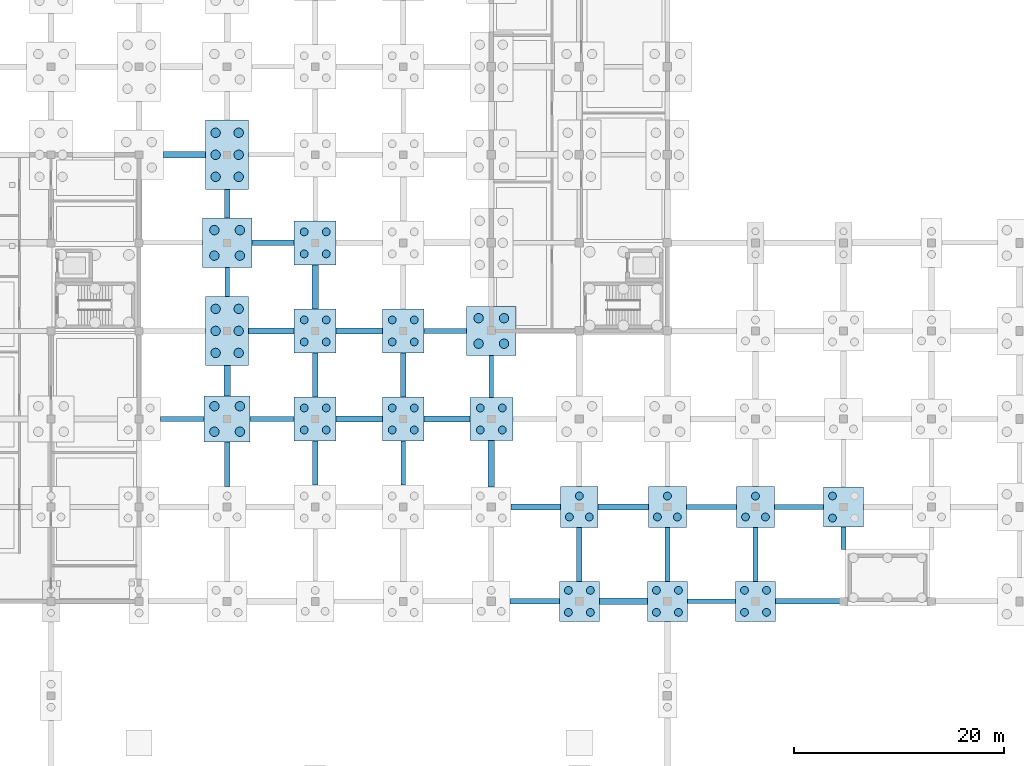
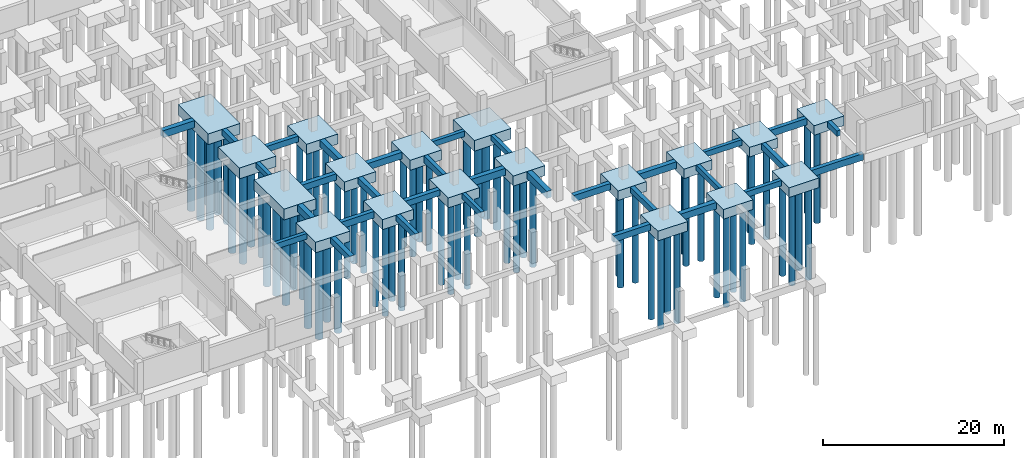
# One storey, part 4 of 20: 71 piles, 50 footings.
"""IFC4 building model written with IfcOpenShell, lengths in metres."""

from ifc_helpers import new_model, si_unit, direction, frame, origin, origin_2d, place, context, subcontext, project, spatial, rectangle, circle, extrude, material, material_profile, profile_set, type_object, element, save


model = new_model("IFC4")

# Units and contexts
model_context = context("Model", 3, precision=1e-05, world=origin(), true_north=direction((0.0, 1.0)))
body_context = subcontext(model_context, "Body", "Model", "MODEL_VIEW")
ifc_project = project(units=[si_unit("LENGTHUNIT", "METRE"), si_unit("AREAUNIT", "SQUARE_METRE"), si_unit("VOLUMEUNIT", "CUBIC_METRE"), si_unit("PLANEANGLEUNIT", "RADIAN"), si_unit("MASSUNIT", "GRAM", prefix="KILO")], contexts=[model_context])

# Site, building, storey
site_placement = place(None, origin())
site = spatial("IfcSite", under=ifc_project, at=site_placement, CompositionType="ELEMENT")
building_placement = place(site_placement, origin())
building = spatial("IfcBuilding", under=site, at=building_placement, Name="Vireocrest Preparatory School", CompositionType="ELEMENT")
storey_placement = place(building_placement, frame((0.0, 0.0, -4.199951171875)))
storey = spatial("IfcBuildingStorey", under=building, at=storey_placement, Name="B01", CompositionType="ELEMENT", Elevation=-4.199951171875)

# Piles
ifc_material = material(Name="Concrete 40 MPa", Category="concrete")
ifc_material_profile_1 = material_profile(ifc_material, circle(Radius=0.375, at=origin_2d()), Name="BORED PILE 750")
ifc_profile_set_1 = profile_set([ifc_material_profile_1], Name="Concrete 40 MPa")
pile_type_1 = type_object("IfcPileType", Name="Bored Concrete Pile 750", PredefinedType="BORED", material=ifc_profile_set_1)
for number, where, z_axis, x_axis, name in (
    (1, (74.550048828125, 34.35009765625, -1.25), (0.0, 0.0, -1.0), (1.0, 0.0, 0.0), "Bored Pile P02 077-1"),
    (2, (76.64990234375, 34.35009765625, -1.25), (0.0, 0.0, -1.0), (1.0, 0.0, 0.0), "Bored Pile P02 077-2"),
    (3, (74.550048828125, 36.449951171875, -1.25), (0.0, 0.0, -1.0), (1.0, 0.0, 0.0), "Bored Pile P02 077-3"),
    (4, (76.64990234375, 36.449951171875, -1.25), (0.0, 0.0, -1.0), (1.0, 0.0, 0.0), "Bored Pile P02 077-4"),
    (5, (74.550048828125, 42.75, -1.25), (0.0, 0.0, -1.0), (1.0, 0.0, 0.0), "Bored Pile P02 078-1"),
    (6, (76.64990234375, 42.75, -1.25), (0.0, 0.0, -1.0), (1.0, 0.0, 0.0), "Bored Pile P02 078-2"),
    (7, (74.550048828125, 44.85009765625, -1.25), (0.0, 0.0, -1.0), (1.0, 0.0, 0.0), "Bored Pile P02 078-3"),
    (8, (76.64990234375, 44.85009765625, -1.25), (0.0, 0.0, -1.0), (1.0, 0.0, 0.0), "Bored Pile P02 078-4"),
    (9, (74.550048828125, 51.14990234375, -1.25), (0.0, 0.0, -1.0), (1.0, 0.0, 0.0), "Bored Pile P02 079-1"),
    (10, (76.64990234375, 51.14990234375, -1.25), (0.0, 0.0, -1.0), (1.0, 0.0, 0.0), "Bored Pile P02 079-2"),
    (11, (74.550048828125, 53.25, -1.25), (0.0, 0.0, -1.0), (1.0, 0.0, 0.0), "Bored Pile P02 079-3"),
    (12, (76.64990234375, 53.25, -1.25), (0.0, 0.0, -1.0), (1.0, 0.0, 0.0), "Bored Pile P02 079-4"),
    (13, (82.949951171875, 34.35009765625, -1.25), (0.0, 0.0, -1.0), (1.0, 0.0, 0.0), "Bored Pile P02 090-1"),
    (14, (85.050048828125, 34.35009765625, -1.25), (0.0, 0.0, -1.0), (1.0, 0.0, 0.0), "Bored Pile P02 090-2"),
    (15, (82.949951171875, 36.449951171875, -1.25), (0.0, 0.0, -1.0), (1.0, 0.0, 0.0), "Bored Pile P02 090-3"),
    (16, (85.050048828125, 36.449951171875, -1.25), (0.0, 0.0, -1.0), (1.0, 0.0, 0.0), "Bored Pile P02 090-4"),
    (17, (82.949951171875, 42.75, -1.25), (0.0, 0.0, -1.0), (1.0, 0.0, 0.0), "Bored Pile P02 091-1"),
    (18, (85.050048828125, 42.75, -1.25), (0.0, 0.0, -1.0), (1.0, 0.0, 0.0), "Bored Pile P02 091-2"),
    (19, (82.949951171875, 44.85009765625, -1.25), (0.0, 0.0, -1.0), (1.0, 0.0, 0.0), "Bored Pile P02 091-3"),
    (20, (85.050048828125, 44.85009765625, -1.25), (0.0, 0.0, -1.0), (1.0, 0.0, 0.0), "Bored Pile P02 091-4"),
    (21, (91.35009765625, 34.35009765625, -1.25), (0.0, 0.0, -1.0), (1.0, 0.0, 0.0), "Bored Pile P02 103-1"),
    (22, (93.449951171875, 34.35009765625, -1.25), (0.0, 0.0, -1.0), (1.0, 0.0, 0.0), "Bored Pile P02 103-2"),
    (23, (91.35009765625, 36.449951171875, -1.25), (0.0, 0.0, -1.0), (1.0, 0.0, 0.0), "Bored Pile P02 103-3"),
    (24, (93.449951171875, 36.449951171875, -1.25), (0.0, 0.0, -1.0), (1.0, 0.0, 0.0), "Bored Pile P02 103-4"),
):
    element("IfcPile", number, at=place(storey_placement, frame(where, z_axis=z_axis, x_axis=x_axis)), inside=storey, type_object=pile_type_1, Name=name, PredefinedType="BORED", context=body_context, shape_type="SweptSolid", body=[
        extrude(circle(Radius=0.375, at=origin_2d()), origin(), (0.0, 0.0, 1.0), 12.550048828125),
    ])
for number, where, z_axis, x_axis, name in (
    (25, (99.75, 16.949951171875, -1.199951171875), (0.0, 0.0, -1.0), (1.0, 0.0, 0.0), "Bored Pile P02 114-1"),
    (26, (101.85009765625, 16.949951171875, -1.199951171875), (0.0, 0.0, -1.0), (1.0, 0.0, 0.0), "Bored Pile P02 114-2"),
    (27, (99.75, 19.050048828125, -1.199951171875), (0.0, 0.0, -1.0), (1.0, 0.0, 0.0), "Bored Pile P02 114-3"),
    (28, (101.85009765625, 19.050048828125, -1.199951171875), (0.0, 0.0, -1.0), (1.0, 0.0, 0.0), "Bored Pile P02 114-4"),
    (29, (99.85009765625, 26.050048828125, -1.199951171875), (0.0, 0.0, -1.0), (1.0, 0.0, 0.0), "Bored Pile P02 115-1"),
    (30, (101.75, 26.050048828125, -1.199951171875), (0.0, 0.0, -1.0), (1.0, 0.0, 0.0), "Bored Pile P02 115-2"),
    (31, (100.800048828125, 28.050048828125, -1.199951171875), (0.0, 0.0, -1.0), (1.0, 0.0, 0.0), "Bored Pile P02 115-3"),
    (32, (108.14990234375, 16.949951171875, -1.199951171875), (0.0, 0.0, -1.0), (1.0, 0.0, 0.0), "Bored Pile P02 128-1"),
    (33, (110.25, 16.949951171875, -1.199951171875), (0.0, 0.0, -1.0), (1.0, 0.0, 0.0), "Bored Pile P02 128-2"),
    (34, (108.14990234375, 19.050048828125, -1.199951171875), (0.0, 0.0, -1.0), (1.0, 0.0, 0.0), "Bored Pile P02 128-3"),
    (35, (110.25, 19.050048828125, -1.199951171875), (0.0, 0.0, -1.0), (1.0, 0.0, 0.0), "Bored Pile P02 128-4"),
    (36, (108.25, 26.050048828125, -1.199951171875), (0.0, 0.0, -1.0), (1.0, 0.0, 0.0), "Bored Pile P02 129-1"),
    (37, (110.14990234375, 26.050048828125, -1.199951171875), (0.0, 0.0, -1.0), (1.0, 0.0, 0.0), "Bored Pile P02 129-2"),
    (38, (109.199951171875, 28.050048828125, -1.199951171875), (0.0, 0.0, -1.0), (1.0, 0.0, 0.0), "Bored Pile P02 129-3"),
    (39, (116.550048828125, 16.949951171875, -1.199951171875), (0.0, 0.0, -1.0), (1.0, 0.0, 0.0), "Bored Pile P02 140-1"),
    (40, (118.64990234375, 16.949951171875, -1.199951171875), (0.0, 0.0, -1.0), (1.0, 0.0, 0.0), "Bored Pile P02 140-2"),
    (41, (116.550048828125, 19.050048828125, -1.199951171875), (0.0, 0.0, -1.0), (1.0, 0.0, 0.0), "Bored Pile P02 140-3"),
    (42, (118.64990234375, 19.050048828125, -1.199951171875), (0.0, 0.0, -1.0), (1.0, 0.0, 0.0), "Bored Pile P02 140-4"),
    (43, (116.64990234375, 26.050048828125, -1.199951171875), (0.0, 0.0, -1.0), (1.0, 0.0, 0.0), "Bored Pile P02 141-1"),
    (44, (118.550048828125, 26.050048828125, -1.199951171875), (0.0, 0.0, -1.0), (1.0, 0.0, 0.0), "Bored Pile P02 141-2"),
    (45, (117.60009765625, 28.050048828125, -1.199951171875), (0.0, 0.0, -1.0), (1.0, 0.0, 0.0), "Bored Pile P02 141-3"),
    (46, (124.949951171875, 25.949951171875, -1.199951171875), (0.0, 0.0, -1.0), (1.0, 0.0, 0.0), "Bored Pile P02 150-1"),
    (47, (124.949951171875, 28.050048828125, -1.199951171875), (0.0, 0.0, -1.0), (1.0, 0.0, 0.0), "Bored Pile P02 150-3"),
):
    element("IfcPile", number, at=place(storey_placement, frame(where, z_axis=z_axis, x_axis=x_axis)), inside=storey, type_object=pile_type_1, Name=name, PredefinedType="BORED", context=body_context, shape_type="SweptSolid", body=[
        extrude(circle(Radius=0.375, at=origin_2d()), origin(), (0.0, 0.0, 1.0), 12.60009765625),
    ])
ifc_material_profile_2 = material_profile(ifc_material, circle(Radius=0.449951171875, at=origin_2d()), Name="BORED PILE 900")
ifc_profile_set_2 = profile_set([ifc_material_profile_2], Name="Concrete 40 MPa")
pile_type_2 = type_object("IfcPileType", Name="Bored Concrete Pile 900", PredefinedType="BORED", material=ifc_profile_set_2)
for number, where, z_axis, x_axis, name in (
    (48, (65.985107421875, 34.18505859375, -1.300048828125), (0.0, 0.0, -1.0), (1.0, 0.0, 0.0), "Bored Pile P03 064-1"),
    (49, (68.4150390625, 34.18505859375, -1.300048828125), (0.0, 0.0, -1.0), (1.0, 0.0, 0.0), "Bored Pile P03 064-2"),
    (50, (65.985107421875, 36.614990234375, -1.300048828125), (0.0, 0.0, -1.0), (1.0, 0.0, 0.0), "Bored Pile P03 064-3"),
    (51, (68.4150390625, 36.614990234375, -1.300048828125), (0.0, 0.0, -1.0), (1.0, 0.0, 0.0), "Bored Pile P03 064-4"),
):
    element("IfcPile", number, at=place(storey_placement, frame(where, z_axis=z_axis, x_axis=x_axis)), inside=storey, type_object=pile_type_2, Name=name, PredefinedType="BORED", context=body_context, shape_type="SweptSolid", body=[
        extrude(circle(Radius=0.449951171875, at=origin_2d()), origin(), (0.0, 0.0, 1.0), 12.5),
    ])
for number, where, z_axis, x_axis, name in (
    (52, (66.10009765625, 41.699951171875, -1.35009765625), (0.0, 0.0, -1.0), (1.0, 0.0, 0.0), "Bored Pile P03 065-1"),
    (53, (68.300048828125, 41.699951171875, -1.35009765625), (0.0, 0.0, -1.0), (1.0, 0.0, 0.0), "Bored Pile P03 065-2"),
    (54, (66.10009765625, 43.800048828125, -1.35009765625), (0.0, 0.0, -1.0), (1.0, 0.0, 0.0), "Bored Pile P03 065-3"),
    (55, (68.300048828125, 43.800048828125, -1.35009765625), (0.0, 0.0, -1.0), (1.0, 0.0, 0.0), "Bored Pile P03 065-4"),
    (56, (66.10009765625, 45.89990234375, -1.35009765625), (0.0, 0.0, -1.0), (1.0, 0.0, 0.0), "Bored Pile P03 065-5"),
    (57, (68.300048828125, 45.89990234375, -1.35009765625), (0.0, 0.0, -1.0), (1.0, 0.0, 0.0), "Bored Pile P03 065-6"),
    (58, (65.985107421875, 50.985107421875, -1.35009765625), (0.0, 0.0, -1.0), (1.0, 0.0, 0.0), "Bored Pile P03 066-1"),
    (59, (68.4150390625, 50.985107421875, -1.35009765625), (0.0, 0.0, -1.0), (1.0, 0.0, 0.0), "Bored Pile P03 066-2"),
    (60, (65.985107421875, 53.4150390625, -1.35009765625), (0.0, 0.0, -1.0), (1.0, 0.0, 0.0), "Bored Pile P03 066-3"),
    (61, (68.4150390625, 53.4150390625, -1.35009765625), (0.0, 0.0, -1.0), (1.0, 0.0, 0.0), "Bored Pile P03 066-4"),
    (62, (66.10009765625, 58.5, -1.35009765625), (0.0, 0.0, -1.0), (1.0, 0.0, 0.0), "Bored Pile P03 067-1"),
    (63, (68.300048828125, 58.5, -1.35009765625), (0.0, 0.0, -1.0), (1.0, 0.0, 0.0), "Bored Pile P03 067-2"),
    (64, (66.10009765625, 60.60009765625, -1.35009765625), (0.0, 0.0, -1.0), (1.0, 0.0, 0.0), "Bored Pile P03 067-3"),
    (65, (68.300048828125, 60.60009765625, -1.35009765625), (0.0, 0.0, -1.0), (1.0, 0.0, 0.0), "Bored Pile P03 067-4"),
    (66, (66.10009765625, 62.699951171875, -1.35009765625), (0.0, 0.0, -1.0), (1.0, 0.0, 0.0), "Bored Pile P03 067-5"),
    (67, (68.300048828125, 62.699951171875, -1.35009765625), (0.0, 0.0, -1.0), (1.0, 0.0, 0.0), "Bored Pile P03 067-6"),
    (68, (91.18505859375, 42.5849609375, -1.35009765625), (0.0, 0.0, -1.0), (1.0, 0.0, 0.0), "Bored Pile P03 104-1"),
    (69, (93.614990234375, 42.5849609375, -1.35009765625), (0.0, 0.0, -1.0), (1.0, 0.0, 0.0), "Bored Pile P03 104-2"),
    (70, (91.18505859375, 45.014892578125, -1.35009765625), (0.0, 0.0, -1.0), (1.0, 0.0, 0.0), "Bored Pile P03 104-3"),
    (71, (93.614990234375, 45.014892578125, -1.35009765625), (0.0, 0.0, -1.0), (1.0, 0.0, 0.0), "Bored Pile P03 104-4"),
):
    element("IfcPile", number, at=place(storey_placement, frame(where, z_axis=z_axis, x_axis=x_axis)), inside=storey, type_object=pile_type_2, Name=name, PredefinedType="BORED", context=body_context, shape_type="SweptSolid", body=[
        extrude(circle(Radius=0.449951171875, at=origin_2d()), origin(), (0.0, 0.0, 1.0), 12.449951171875),
    ])

# Footings
footing_type_1 = type_object("IfcFootingType", Name="Four-Pile Cap 3800x3800x1300", PredefinedType="PILE_CAP", material=ifc_material)
for number, where, z_axis, x_axis, name in (
    (72, (100.800048828125, 18.0, -1.30029296875), (0.0, 0.0, 1.0), (1.0, 0.0, 0.0), "Pile Cap PC05 at (100.8, 18.0)"),
    (73, (109.199951171875, 18.0, -1.30029296875), (0.0, 0.0, 1.0), (1.0, 0.0, 0.0), "Pile Cap PC05 at (109.2, 18.0)"),
    (74, (117.60009765625, 18.0, -1.30029296875), (0.0, 0.0, 1.0), (1.0, 0.0, 0.0), "Pile Cap PC05 at (117.6, 18.0)"),
    (75, (126.0, 27.0, -1.30029296875), (0.0, 0.0, 1.0), (1.0, 0.0, 0.0), "Pile Cap PC05 at (126.0, 27.0)"),
):
    element("IfcFooting", number, at=place(storey_placement, frame(where, z_axis=z_axis, x_axis=x_axis)), inside=storey, type_object=footing_type_1, Name=name, PredefinedType="PILE_CAP", context=body_context, shape_type="SweptSolid", body=[
        extrude(rectangle(XDim=3.800048828125, YDim=3.800048828125, at=origin_2d()), origin(), (0.0, 0.0, 1.0), 1.300048828125),
    ])
footing_type_2 = type_object("IfcFootingType", Name="Four-Pile Cap 4100x4100x1350", PredefinedType="PILE_CAP", material=ifc_material)
footing_1_placement = place(storey_placement, frame((92.39990234375, 35.39990234375, -1.35009765625), z_axis=(0.0, 0.0, 1.0), x_axis=(1.0, 0.0, 0.0)))
element("IfcFooting", 76, at=footing_1_placement, inside=storey, type_object=footing_type_2, Name="Pile Cap PC06 at (92.4, 35.4)", PredefinedType="PILE_CAP", context=body_context, shape_type="SweptSolid", body=[
    extrude(rectangle(XDim=4.10009765625, YDim=4.10009765625, at=origin_2d()), origin(), (0.0, 0.0, 1.0), 1.35009765625),
])
footing_type_3 = type_object("IfcFootingType", Name="Four-Pile Cap 4400x4400x1400", PredefinedType="PILE_CAP", material=ifc_material)
footing_2_placement = place(storey_placement, frame((67.199951171875, 35.39990234375, -1.39990234375), z_axis=(0.0, 0.0, 1.0), x_axis=(1.0, 0.0, 0.0)))
element("IfcFooting", 77, at=footing_2_placement, inside=storey, type_object=footing_type_3, Name="Pile Cap PC07 at (67.2, 35.4)", PredefinedType="PILE_CAP", context=body_context, shape_type="SweptSolid", body=[
    extrude(rectangle(XDim=4.39990234375, YDim=4.39990234375, at=origin_2d()), origin(), (0.0, 0.0, 1.0), 1.39990234375),
])
footing_type_4 = type_object("IfcFootingType", Name="Four-Pile Cap 4700x4700x1450", PredefinedType="PILE_CAP", material=ifc_material)
for number, where, z_axis, x_axis, name in (
    (78, (67.199951171875, 52.199951171875, -1.4501953125), (0.0, 0.0, 1.0), (1.0, 0.0, 0.0), "Pile Cap PC08 at (67.2, 52.2)"),
    (79, (92.39990234375, 43.800048828125, -1.4501953125), (0.0, 0.0, 1.0), (1.0, 0.0, 0.0), "Pile Cap PC08 at (92.4, 43.8)"),
):
    element("IfcFooting", number, at=place(storey_placement, frame(where, z_axis=z_axis, x_axis=x_axis)), inside=storey, type_object=footing_type_4, Name=name, PredefinedType="PILE_CAP", context=body_context, shape_type="SweptSolid", body=[
        extrude(rectangle(XDim=4.699951171875, YDim=4.699951171875, at=origin_2d()), origin(), (0.0, 0.0, 1.0), 1.449951171875),
    ])
footing_type_5 = type_object("IfcFootingType", Name="Four-Pile Court V-Trunk Cap 4000x4200x1350", PredefinedType="PILE_CAP", material=ifc_material)
for number, where, z_axis, x_axis, name in (
    (80, (75.60009765625, 35.39990234375, -1.35009765625), (0.0, 0.0, 1.0), (1.0, 0.0, 0.0), "Pile Cap PC09 at (75.6, 35.4)"),
    (81, (75.60009765625, 43.800048828125, -1.35009765625), (0.0, 0.0, 1.0), (1.0, 0.0, 0.0), "Pile Cap PC09 at (75.6, 43.8)"),
    (82, (75.60009765625, 52.199951171875, -1.35009765625), (0.0, 0.0, 1.0), (1.0, 0.0, 0.0), "Pile Cap PC09 at (75.6, 52.2)"),
    (83, (84.0, 35.39990234375, -1.35009765625), (0.0, 0.0, 1.0), (1.0, 0.0, 0.0), "Pile Cap PC09 at (84.0, 35.4)"),
    (84, (84.0, 43.800048828125, -1.35009765625), (0.0, 0.0, 1.0), (1.0, 0.0, 0.0), "Pile Cap PC09 at (84.0, 43.8)"),
):
    element("IfcFooting", number, at=place(storey_placement, frame(where, z_axis=z_axis, x_axis=x_axis)), inside=storey, type_object=footing_type_5, Name=name, PredefinedType="PILE_CAP", context=body_context, shape_type="SweptSolid", body=[
        extrude(rectangle(XDim=4.0, YDim=4.199951171875, at=origin_2d()), origin(), (0.0, 0.0, 1.0), 1.35009765625),
    ])
ifc_material_profile_3 = material_profile(ifc_material, rectangle(XDim=0.550048828125, YDim=0.800048828125, at=origin_2d()), Name="GB 550x800")
ifc_profile_set_3 = profile_set([ifc_material_profile_3], Name="Concrete 40 MPa")
footing_type_6 = type_object("IfcFootingType", Name="RC Court Tie Beam 550x800", PredefinedType="FOOTING_BEAM", material=ifc_profile_set_3)
footing_3_placement = place(storey_placement, frame((77.60009765625, 35.39990234375, -0.400146484375), z_axis=(1.0, 0.0, 0.0), x_axis=(0.0, 1.0, 0.0)))
element("IfcFooting", 85, at=footing_3_placement, inside=storey, type_object=footing_type_6, Name="Foundation Grade Beam GB06-046", PredefinedType="FOOTING_BEAM", context=body_context, shape_type="SweptSolid", body=[
    extrude(rectangle(XDim=0.550048828125, YDim=0.800048828125, at=origin_2d()), origin(), (0.0, 0.0, 1.0), 4.39990234375),
])
footing_4_placement = place(storey_placement, frame((67.199951171875, 28.949951171875, -0.400146484375), z_axis=(0.0, 1.0, 0.0), x_axis=(-1.0, 0.0, 0.0)))
element("IfcFooting", 86, at=footing_4_placement, inside=storey, type_object=footing_type_6, Name="Foundation Grade Beam GB06-190", PredefinedType="FOOTING_BEAM", context=body_context, shape_type="SweptSolid", body=[
    extrude(rectangle(XDim=0.550048828125, YDim=0.800048828125, at=origin_2d()), origin(), (0.0, 0.0, 1.0), 4.25),
])
ifc_material_profile_4 = material_profile(ifc_material, rectangle(XDim=0.5, YDim=0.800048828125, at=origin_2d()), Name="GB 500x800")
ifc_profile_set_4 = profile_set([ifc_material_profile_4], Name="Concrete 40 MPa")
footing_type_7 = type_object("IfcFootingType", Name="RC Foundation Grade Beam 500x800", PredefinedType="FOOTING_BEAM", material=ifc_profile_set_4)
footing_5_placement = place(storey_placement, frame((69.550048828125, 52.199951171875, -0.400146484375), z_axis=(1.0, 0.0, 0.0), x_axis=(0.0, 1.0, 0.0)))
element("IfcFooting", 87, at=footing_5_placement, inside=storey, type_object=footing_type_7, Name="Foundation Grade Beam GB01-073", PredefinedType="FOOTING_BEAM", context=body_context, shape_type="SweptSolid", body=[
    extrude(rectangle(XDim=0.5, YDim=0.800048828125, at=origin_2d()), origin(), (0.0, 0.0, 1.0), 4.050048828125),
])
footing_6_placement = place(storey_placement, frame((67.199951171875, 54.550048828125, -0.400146484375), z_axis=(0.0, 1.0, 0.0), x_axis=(-1.0, 0.0, 0.0)))
element("IfcFooting", 88, at=footing_6_placement, inside=storey, type_object=footing_type_7, Name="Foundation Grade Beam GB01-193", PredefinedType="FOOTING_BEAM", context=body_context, shape_type="SweptSolid", body=[
    extrude(rectangle(XDim=0.5, YDim=0.800048828125, at=origin_2d()), origin(), (0.0, 0.0, 1.0), 2.75),
])
footing_7_placement = place(storey_placement, frame((75.60009765625, 29.10009765625, -0.400146484375), z_axis=(0.0, 1.0, 0.0), x_axis=(-1.0, 0.0, 0.0)))
element("IfcFooting", 89, at=footing_7_placement, inside=storey, type_object=footing_type_7, Name="Foundation Grade Beam GB01-201", PredefinedType="FOOTING_BEAM", context=body_context, shape_type="SweptSolid", body=[
    extrude(rectangle(XDim=0.5, YDim=0.800048828125, at=origin_2d()), origin(), (0.0, 0.0, 1.0), 4.199951171875),
])
footing_8_placement = place(storey_placement, frame((100.800048828125, 19.89990234375, -0.400146484375), z_axis=(0.0, 1.0, 0.0), x_axis=(-1.0, 0.0, 0.0)))
element("IfcFooting", 90, at=footing_8_placement, inside=storey, type_object=footing_type_7, Name="Foundation Grade Beam GB01-233", PredefinedType="FOOTING_BEAM", context=body_context, shape_type="SweptSolid", body=[
    extrude(rectangle(XDim=0.5, YDim=0.800048828125, at=origin_2d()), origin(), (0.0, 0.0, 1.0), 5.150146484375),
])
ifc_material_profile_5 = material_profile(ifc_material, rectangle(XDim=0.550048828125, YDim=0.85009765625, at=origin_2d()), Name="GB 550x850")
ifc_profile_set_5 = profile_set([ifc_material_profile_5], Name="Concrete 40 MPa")
footing_type_8 = type_object("IfcFootingType", Name="RC Foundation Grade Beam 550x850", PredefinedType="FOOTING_BEAM", material=ifc_profile_set_5)
for number, where, z_axis, x_axis, name in (
    (91, (94.199951171875, 18.0, -0.425048828125), (1.0, 0.0, 0.0), (0.0, 1.0, 0.0), "Foundation Grade Beam GB02-018"),
    (92, (94.300048828125, 27.0, -0.425048828125), (1.0, 0.0, 0.0), (0.0, 1.0, 0.0), "Foundation Grade Beam GB02-034"),
):
    element("IfcFooting", number, at=place(storey_placement, frame(where, z_axis=z_axis, x_axis=x_axis)), inside=storey, type_object=footing_type_8, Name=name, PredefinedType="FOOTING_BEAM", context=body_context, shape_type="SweptSolid", body=[
        extrude(rectangle(XDim=0.550048828125, YDim=0.85009765625, at=origin_2d()), origin(), (0.0, 0.0, 1.0), 4.699951171875),
    ])
footing_9_placement = place(storey_placement, frame((69.25, 43.800048828125, -0.425048828125), z_axis=(1.0, 0.0, 0.0), x_axis=(0.0, 1.0, 0.0)))
element("IfcFooting", 93, at=footing_9_placement, inside=storey, type_object=footing_type_8, Name="Foundation Grade Beam GB02-058", PredefinedType="FOOTING_BEAM", context=body_context, shape_type="SweptSolid", body=[
    extrude(rectangle(XDim=0.550048828125, YDim=0.85009765625, at=origin_2d()), origin(), (0.0, 0.0, 1.0), 4.35009765625),
])
footing_10_placement = place(storey_placement, frame((75.60009765625, 37.5, -0.425048828125), z_axis=(0.0, 1.0, 0.0), x_axis=(-1.0, 0.0, 0.0)))
element("IfcFooting", 94, at=footing_10_placement, inside=storey, type_object=footing_type_8, Name="Foundation Grade Beam GB02-202", PredefinedType="FOOTING_BEAM", context=body_context, shape_type="SweptSolid", body=[
    extrude(rectangle(XDim=0.550048828125, YDim=0.85009765625, at=origin_2d()), origin(), (0.0, 0.0, 1.0), 4.199951171875),
])
ifc_material_profile_6 = material_profile(ifc_material, rectangle(XDim=0.60009765625, YDim=0.89990234375, at=origin_2d()), Name="GB 600x900")
ifc_profile_set_6 = profile_set([ifc_material_profile_6], Name="Concrete 40 MPa")
footing_type_9 = type_object("IfcFootingType", Name="RC Foundation Grade Beam 600x900", PredefinedType="FOOTING_BEAM", material=ifc_profile_set_6)
footing_11_placement = place(storey_placement, frame((102.699951171875, 18.0, -0.449951171875), z_axis=(1.0, 0.0, 0.0), x_axis=(0.0, 1.0, 0.0)))
element("IfcFooting", 95, at=footing_11_placement, inside=storey, type_object=footing_type_9, Name="Foundation Grade Beam GB03-019", PredefinedType="FOOTING_BEAM", context=body_context, shape_type="SweptSolid", body=[
    extrude(rectangle(XDim=0.60009765625, YDim=0.89990234375, at=origin_2d()), origin(), (0.0, 0.0, 1.0), 4.60009765625),
])
footing_12_placement = place(storey_placement, frame((102.60009765625, 27.0, -0.449951171875), z_axis=(1.0, 0.0, 0.0), x_axis=(0.0, 1.0, 0.0)))
element("IfcFooting", 96, at=footing_12_placement, inside=storey, type_object=footing_type_9, Name="Foundation Grade Beam GB03-035", PredefinedType="FOOTING_BEAM", context=body_context, shape_type="SweptSolid", body=[
    extrude(rectangle(XDim=0.60009765625, YDim=0.89990234375, at=origin_2d()), origin(), (0.0, 0.0, 1.0), 4.7998046875),
])
footing_13_placement = place(storey_placement, frame((77.60009765625, 43.800048828125, -0.449951171875), z_axis=(1.0, 0.0, 0.0), x_axis=(0.0, 1.0, 0.0)))
element("IfcFooting", 97, at=footing_13_placement, inside=storey, type_object=footing_type_9, Name="Foundation Grade Beam GB03-059", PredefinedType="FOOTING_BEAM", context=body_context, shape_type="SweptSolid", body=[
    extrude(rectangle(XDim=0.60009765625, YDim=0.89990234375, at=origin_2d()), origin(), (0.0, 0.0, 1.0), 4.39990234375),
])
footing_14_placement = place(storey_placement, frame((75.60009765625, 45.89990234375, -0.449951171875), z_axis=(0.0, 1.0, 0.0), x_axis=(-1.0, 0.0, 0.0)))
element("IfcFooting", 98, at=footing_14_placement, inside=storey, type_object=footing_type_9, Name="Foundation Grade Beam GB03-203", PredefinedType="FOOTING_BEAM", context=body_context, shape_type="SweptSolid", body=[
    extrude(rectangle(XDim=0.60009765625, YDim=0.89990234375, at=origin_2d()), origin(), (0.0, 0.0, 1.0), 4.2001953125),
])
ifc_material_profile_7 = material_profile(ifc_material, rectangle(XDim=0.449951171875, YDim=0.75, at=origin_2d()), Name="GB 450x750")
ifc_profile_set_7 = profile_set([ifc_material_profile_7], Name="Concrete 40 MPa")
footing_type_10 = type_object("IfcFootingType", Name="RC Foundation Tie Beam 450x750", PredefinedType="FOOTING_BEAM", material=ifc_profile_set_7)
footing_15_placement = place(storey_placement, frame((111.10009765625, 18.0, -0.375), z_axis=(1.0, 0.0, 0.0), x_axis=(0.0, 1.0, 0.0)))
element("IfcFooting", 99, at=footing_15_placement, inside=storey, type_object=footing_type_10, Name="Foundation Grade Beam GB04-020", PredefinedType="FOOTING_BEAM", context=body_context, shape_type="SweptSolid", body=[
    extrude(rectangle(XDim=0.449951171875, YDim=0.75, at=origin_2d()), origin(), (0.0, 0.0, 1.0), 4.599853515625),
])
footing_16_placement = place(storey_placement, frame((111.0, 27.0, -0.375), z_axis=(1.0, 0.0, 0.0), x_axis=(0.0, 1.0, 0.0)))
element("IfcFooting", 100, at=footing_16_placement, inside=storey, type_object=footing_type_10, Name="Foundation Grade Beam GB04-036", PredefinedType="FOOTING_BEAM", context=body_context, shape_type="SweptSolid", body=[
    extrude(rectangle(XDim=0.449951171875, YDim=0.75, at=origin_2d()), origin(), (0.0, 0.0, 1.0), 4.800048828125),
])
footing_17_placement = place(storey_placement, frame((60.85009765625, 35.39990234375, -0.375), z_axis=(1.0, 0.0, 0.0), x_axis=(0.0, 1.0, 0.0)))
element("IfcFooting", 101, at=footing_17_placement, inside=storey, type_object=footing_type_10, Name="Foundation Grade Beam GB04-044", PredefinedType="FOOTING_BEAM", context=body_context, shape_type="SweptSolid", body=[
    extrude(rectangle(XDim=0.449951171875, YDim=0.75, at=origin_2d()), origin(), (0.0, 0.0, 1.0), 4.14990234375),
])
footing_18_placement = place(storey_placement, frame((86.0, 43.800048828125, -0.375), z_axis=(1.0, 0.0, 0.0), x_axis=(0.0, 1.0, 0.0)))
element("IfcFooting", 102, at=footing_18_placement, inside=storey, type_object=footing_type_10, Name="Foundation Grade Beam GB04-060", PredefinedType="FOOTING_BEAM", context=body_context, shape_type="SweptSolid", body=[
    extrude(rectangle(XDim=0.449951171875, YDim=0.75, at=origin_2d()), origin(), (0.0, 0.0, 1.0), 4.050048828125),
])
footing_19_placement = place(storey_placement, frame((84.0, 29.10009765625, -0.375), z_axis=(0.0, 1.0, 0.0), x_axis=(-1.0, 0.0, 0.0)))
element("IfcFooting", 103, at=footing_19_placement, inside=storey, type_object=footing_type_10, Name="Foundation Grade Beam GB04-212", PredefinedType="FOOTING_BEAM", context=body_context, shape_type="SweptSolid", body=[
    extrude(rectangle(XDim=0.449951171875, YDim=0.75, at=origin_2d()), origin(), (0.0, 0.0, 1.0), 4.199951171875),
])
footing_20_placement = place(storey_placement, frame((109.199951171875, 19.89990234375, -0.375), z_axis=(0.0, 1.0, 0.0), x_axis=(-1.0, 0.0, 0.0)))
element("IfcFooting", 104, at=footing_20_placement, inside=storey, type_object=footing_type_10, Name="Foundation Grade Beam GB04-244", PredefinedType="FOOTING_BEAM", context=body_context, shape_type="SweptSolid", body=[
    extrude(rectangle(XDim=0.449951171875, YDim=0.75, at=origin_2d()), origin(), (0.0, 0.0, 1.0), 5.150146484375),
])
footing_21_placement = place(storey_placement, frame((126.0, 22.949951171875, -0.375), z_axis=(0.0, 1.0, 0.0), x_axis=(-1.0, 0.0, 0.0)))
element("IfcFooting", 105, at=footing_21_placement, inside=storey, type_object=footing_type_10, Name="Foundation Grade Beam GB04-260", PredefinedType="FOOTING_BEAM", context=body_context, shape_type="SweptSolid", body=[
    extrude(rectangle(XDim=0.449951171875, YDim=0.75, at=origin_2d()), origin(), (0.0, 0.0, 1.0), 2.150146484375),
])
ifc_material_profile_8 = material_profile(ifc_material, rectangle(XDim=0.449951171875, YDim=0.699951171875, at=origin_2d()), Name="GB 450x700")
ifc_profile_set_8 = profile_set([ifc_material_profile_8], Name="Concrete 40 MPa")
footing_type_11 = type_object("IfcFootingType", Name="RC Pavilion Tie Beam 450x700", PredefinedType="FOOTING_BEAM", material=ifc_profile_set_8)
footing_22_placement = place(storey_placement, frame((67.199951171875, 47.10009765625, -0.35009765625), z_axis=(0.0, 1.0, 0.0), x_axis=(-1.0, 0.0, 0.0)))
element("IfcFooting", 106, at=footing_22_placement, inside=storey, type_object=footing_type_11, Name="Foundation Grade Beam GB08-192", PredefinedType="FOOTING_BEAM", context=body_context, shape_type="SweptSolid", body=[
    extrude(rectangle(XDim=0.449951171875, YDim=0.699951171875, at=origin_2d()), origin(), (0.0, 0.0, 1.0), 2.75),
])
footing_23_placement = place(storey_placement, frame((92.39990234375, 37.449951171875, -0.35009765625), z_axis=(0.0, 1.0, 0.0), x_axis=(-1.0, 0.0, 0.0)))
element("IfcFooting", 107, at=footing_23_placement, inside=storey, type_object=footing_type_11, Name="Foundation Grade Beam GB08-224", PredefinedType="FOOTING_BEAM", context=body_context, shape_type="SweptSolid", body=[
    extrude(rectangle(XDim=0.449951171875, YDim=0.699951171875, at=origin_2d()), origin(), (0.0, 0.0, 1.0), 4.0),
])
ifc_material_profile_9 = material_profile(ifc_material, rectangle(XDim=0.5, YDim=0.89990234375, at=origin_2d()), Name="GB 500x900")
ifc_profile_set_9 = profile_set([ifc_material_profile_9], Name="Concrete 40 MPa")
footing_type_12 = type_object("IfcFootingType", Name="RC Perimeter Grade Beam 500x900", PredefinedType="FOOTING_BEAM", material=ifc_profile_set_9)
footing_24_placement = place(storey_placement, frame((119.5, 18.0, -0.449951171875), z_axis=(1.0, 0.0, 0.0), x_axis=(0.0, 1.0, 0.0)))
element("IfcFooting", 108, at=footing_24_placement, inside=storey, type_object=footing_type_12, Name="Foundation Grade Beam GB05-021", PredefinedType="FOOTING_BEAM", context=body_context, shape_type="SweptSolid", body=[
    extrude(rectangle(XDim=0.5, YDim=0.89990234375, at=origin_2d()), origin(), (0.0, 0.0, 1.0), 6.64990234375),
])
footing_25_placement = place(storey_placement, frame((119.39990234375, 27.0, -0.449951171875), z_axis=(1.0, 0.0, 0.0), x_axis=(0.0, 1.0, 0.0)))
element("IfcFooting", 109, at=footing_25_placement, inside=storey, type_object=footing_type_12, Name="Foundation Grade Beam GB05-037", PredefinedType="FOOTING_BEAM", context=body_context, shape_type="SweptSolid", body=[
    extrude(rectangle(XDim=0.5, YDim=0.89990234375, at=origin_2d()), origin(), (0.0, 0.0, 1.0), 4.7001953125),
])
footing_26_placement = place(storey_placement, frame((69.39990234375, 35.39990234375, -0.449951171875), z_axis=(1.0, 0.0, 0.0), x_axis=(0.0, 1.0, 0.0)))
element("IfcFooting", 110, at=footing_26_placement, inside=storey, type_object=footing_type_12, Name="Foundation Grade Beam GB05-045", PredefinedType="FOOTING_BEAM", context=body_context, shape_type="SweptSolid", body=[
    extrude(rectangle(XDim=0.5, YDim=0.89990234375, at=origin_2d()), origin(), (0.0, 0.0, 1.0), 4.2001953125),
])
footing_27_placement = place(storey_placement, frame((84.0, 37.5, -0.449951171875), z_axis=(0.0, 1.0, 0.0), x_axis=(-1.0, 0.0, 0.0)))
element("IfcFooting", 111, at=footing_27_placement, inside=storey, type_object=footing_type_12, Name="Foundation Grade Beam GB05-213", PredefinedType="FOOTING_BEAM", context=body_context, shape_type="SweptSolid", body=[
    extrude(rectangle(XDim=0.5, YDim=0.89990234375, at=origin_2d()), origin(), (0.0, 0.0, 1.0), 4.199951171875),
])
footing_28_placement = place(storey_placement, frame((117.60009765625, 19.89990234375, -0.449951171875), z_axis=(0.0, 1.0, 0.0), x_axis=(-1.0, 0.0, 0.0)))
element("IfcFooting", 112, at=footing_28_placement, inside=storey, type_object=footing_type_12, Name="Foundation Grade Beam GB05-253", PredefinedType="FOOTING_BEAM", context=body_context, shape_type="SweptSolid", body=[
    extrude(rectangle(XDim=0.5, YDim=0.89990234375, at=origin_2d()), origin(), (0.0, 0.0, 1.0), 5.150146484375),
])
ifc_material_profile_10 = material_profile(ifc_material, rectangle(XDim=0.60009765625, YDim=0.949951171875, at=origin_2d()), Name="GB 600x950")
ifc_profile_set_10 = profile_set([ifc_material_profile_10], Name="Concrete 40 MPa")
footing_type_13 = type_object("IfcFootingType", Name="RC Vault Tie Grade Beam 600x950", PredefinedType="FOOTING_BEAM", material=ifc_profile_set_10)
footing_29_placement = place(storey_placement, frame((86.0, 35.39990234375, -0.47509765625), z_axis=(1.0, 0.0, 0.0), x_axis=(0.0, 1.0, 0.0)))
element("IfcFooting", 113, at=footing_29_placement, inside=storey, type_object=footing_type_13, Name="Foundation Grade Beam GB07-047", PredefinedType="FOOTING_BEAM", context=body_context, shape_type="SweptSolid", body=[
    extrude(rectangle(XDim=0.60009765625, YDim=0.949951171875, at=origin_2d()), origin(), (0.0, 0.0, 1.0), 4.35009765625),
])
footing_30_placement = place(storey_placement, frame((61.14990234375, 60.60009765625, -0.47509765625), z_axis=(1.0, 0.0, 0.0), x_axis=(0.0, 1.0, 0.0)))
element("IfcFooting", 114, at=footing_30_placement, inside=storey, type_object=footing_type_13, Name="Foundation Grade Beam GB07-087", PredefinedType="FOOTING_BEAM", context=body_context, shape_type="SweptSolid", body=[
    extrude(rectangle(XDim=0.60009765625, YDim=0.949951171875, at=origin_2d()), origin(), (0.0, 0.0, 1.0), 4.0),
])
footing_31_placement = place(storey_placement, frame((67.199951171875, 37.60009765625, -0.47509765625), z_axis=(0.0, 1.0, 0.0), x_axis=(-1.0, 0.0, 0.0)))
element("IfcFooting", 115, at=footing_31_placement, inside=storey, type_object=footing_type_13, Name="Foundation Grade Beam GB07-191", PredefinedType="FOOTING_BEAM", context=body_context, shape_type="SweptSolid", body=[
    extrude(rectangle(XDim=0.60009765625, YDim=0.949951171875, at=origin_2d()), origin(), (0.0, 0.0, 1.0), 2.89990234375),
])
footing_32_placement = place(storey_placement, frame((92.39990234375, 28.89990234375, -0.47509765625), z_axis=(0.0, 1.0, 0.0), x_axis=(-1.0, 0.0, 0.0)))
element("IfcFooting", 116, at=footing_32_placement, inside=storey, type_object=footing_type_13, Name="Foundation Grade Beam GB07-223", PredefinedType="FOOTING_BEAM", context=body_context, shape_type="SweptSolid", body=[
    extrude(rectangle(XDim=0.60009765625, YDim=0.949951171875, at=origin_2d()), origin(), (0.0, 0.0, 1.0), 4.4501953125),
])
footing_type_14 = type_object("IfcFootingType", Name="Six-Pile Rectangular Cap 4100x6600x1450", PredefinedType="PILE_CAP", material=ifc_material)
for number, where, z_axis, x_axis, name in (
    (117, (67.199951171875, 43.800048828125, -1.4501953125), (0.0, 0.0, 1.0), (1.0, 0.0, 0.0), "Pile Cap PC11 at (67.2, 43.8)"),
    (118, (67.199951171875, 60.60009765625, -1.4501953125), (0.0, 0.0, 1.0), (1.0, 0.0, 0.0), "Pile Cap PC11 at (67.2, 60.6)"),
):
    element("IfcFooting", number, at=place(storey_placement, frame(where, z_axis=z_axis, x_axis=x_axis)), inside=storey, type_object=footing_type_14, Name=name, PredefinedType="PILE_CAP", context=body_context, shape_type="SweptSolid", body=[
        extrude(rectangle(XDim=4.10009765625, YDim=6.60009765625, at=origin_2d()), origin(), (0.0, 0.0, 1.0), 1.449951171875),
    ])
footing_type_15 = type_object("IfcFootingType", Name="Three-Pile Cap 3600x3900x1300", PredefinedType="PILE_CAP", material=ifc_material)
for number, where, z_axis, x_axis, name in (
    (119, (100.800048828125, 27.0, -1.30029296875), (0.0, 0.0, 1.0), (1.0, 0.0, 0.0), "Pile Cap PC04 at (100.8, 27.0)"),
    (120, (109.199951171875, 27.0, -1.30029296875), (0.0, 0.0, 1.0), (1.0, 0.0, 0.0), "Pile Cap PC04 at (109.2, 27.0)"),
    (121, (117.60009765625, 27.0, -1.30029296875), (0.0, 0.0, 1.0), (1.0, 0.0, 0.0), "Pile Cap PC04 at (117.6, 27.0)"),
):
    element("IfcFooting", number, at=place(storey_placement, frame(where, z_axis=z_axis, x_axis=x_axis)), inside=storey, type_object=footing_type_15, Name=name, PredefinedType="PILE_CAP", context=body_context, shape_type="SweptSolid", body=[
        extrude(rectangle(XDim=3.60009765625, YDim=3.89990234375, at=origin_2d()), origin(), (0.0, 0.0, 1.0), 1.300048828125),
    ])

save(model, "model.ifc")
